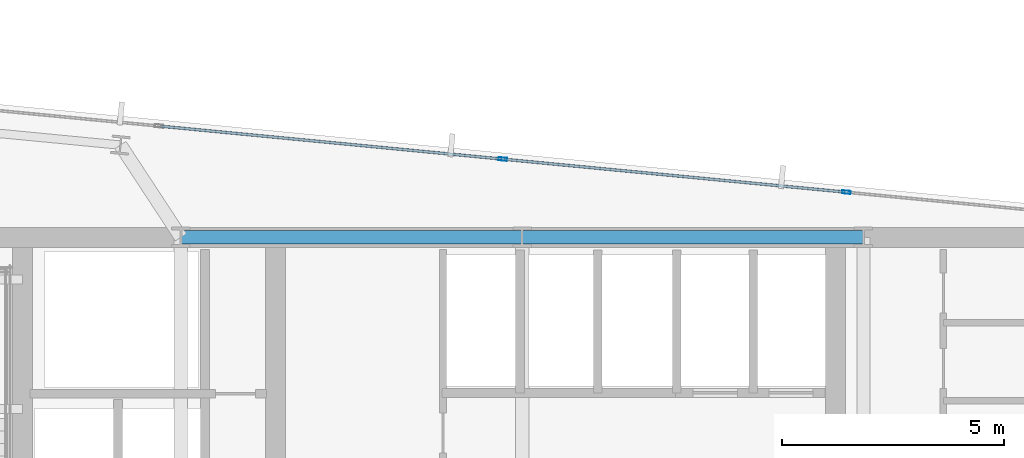
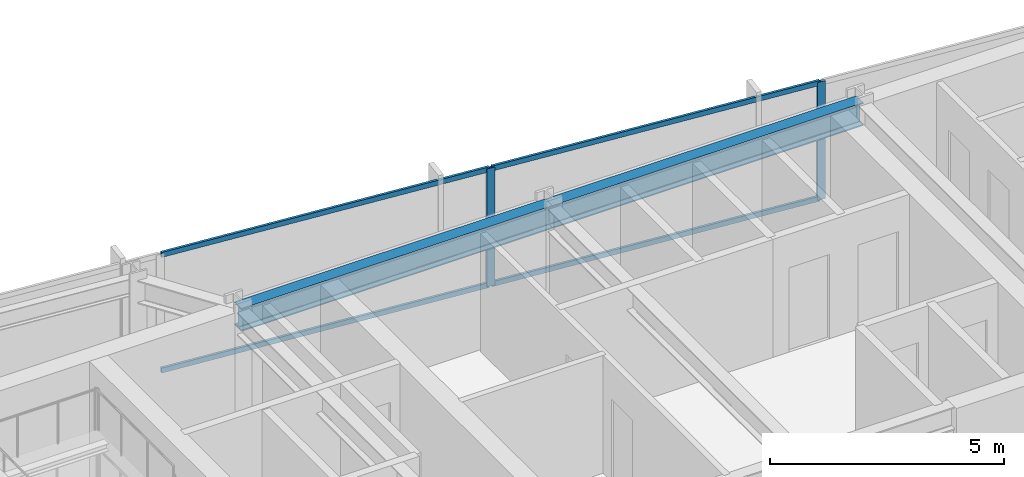
# One storey, part 26 of 37: 6 members, 2 beams, 1 element without a shape of its own.
"""IFC4 building model written with IfcOpenShell, lengths in metres."""

from ifc_helpers import new_model, si_unit, direction, frame, origin, origin_2d, place, context, subcontext, project, spatial, hollow_rectangle, i_section, extrude, material, material_profile, profile_set, type_object, element, aggregate, save


model = new_model("IFC4")

# Units and contexts
model_context = context("Model", 3, precision=1e-05, world=origin(), true_north=direction((0.0, 1.0)))
body_context = subcontext(model_context, "Body", "Model", "MODEL_VIEW")
ifc_project = project(units=[si_unit("LENGTHUNIT", "METRE"), si_unit("AREAUNIT", "SQUARE_METRE"), si_unit("VOLUMEUNIT", "CUBIC_METRE"), si_unit("PLANEANGLEUNIT", "RADIAN"), si_unit("MASSUNIT", "GRAM", prefix="KILO")], contexts=[model_context])

# Site, building, storey
site_placement = place(None, origin())
site = spatial("IfcSite", under=ifc_project, at=site_placement, CompositionType="ELEMENT")
building_placement = place(site_placement, origin())
building = spatial("IfcBuilding", under=site, at=building_placement, Name="Yelkora Congress Tower", CompositionType="ELEMENT")
storey_placement = place(building_placement, frame((0.0, 0.0, 162.199951171875)))
storey = spatial("IfcBuildingStorey", under=building, at=storey_placement, Name="L44", CompositionType="ELEMENT", Elevation=162.199951171875)

# Beams
ifc_material_1 = material(Name="Steel S355J2", Category="steel")
ifc_material_profile_1 = material_profile(ifc_material_1, i_section(OverallWidth=0.300048828125, OverallDepth=0.60009765625, WebThickness=0.015380859375, FlangeThickness=0.030029296875, FilletRadius=0.027099609375, at=origin_2d()), Name="HEB 600")
ifc_profile_set_1 = profile_set([ifc_material_profile_1], Name="Steel S355J2")
beam_type = type_object("IfcBeamType", Name="BM-GIRD-HEB600", PredefinedType="BEAM", material=ifc_profile_set_1)
beam_1_placement = place(storey_placement, frame((30.719970703125, 46.199951171875, 2.780029296875), z_axis=(1.0, 0.0, 0.0), x_axis=(0.0, 1.0, 0.0)))
element("IfcBeam", 1, at=beam_1_placement, inside=storey, type_object=beam_type, Name="L44 Core North Girder 3", PredefinedType="BEAM", context=body_context, shape_type="SweptSolid", body=[
    extrude(i_section(OverallWidth=0.300048828125, OverallDepth=0.60009765625, WebThickness=0.015380859375, FlangeThickness=0.030029296875, FilletRadius=0.027099609375, at=origin_2d()), origin(), (0.0, 0.0, 1.0), 7.679931640625),
])
beam_2_placement = place(storey_placement, frame((38.39990234375, 46.199951171875, 2.780029296875), z_axis=(1.0, 0.0, 0.0), x_axis=(0.0, 1.0, 0.0)))
element("IfcBeam", 2, at=beam_2_placement, inside=storey, type_object=beam_type, Name="L44 Core North Girder 4", PredefinedType="BEAM", context=body_context, shape_type="SweptSolid", body=[
    extrude(i_section(OverallWidth=0.300048828125, OverallDepth=0.60009765625, WebThickness=0.015380859375, FlangeThickness=0.030029296875, FilletRadius=0.027099609375, at=origin_2d()), origin(), (0.0, 0.0, 1.0), 7.68017578125),
])

# Curtain wall, members
ifc_material_2 = material(Name="Anodised aluminium and insulated glass", Category="aluminium")
curtain_wall_type = type_object("IfcCurtainWallType", Name="CW-SYS-B3", PredefinedType="NOTDEFINED", material=ifc_material_2)
curtain_wall_placement = place(storey_placement, origin())
curtain_wall = element("IfcCurtainWall", 3, at=curtain_wall_placement, inside=storey, type_object=curtain_wall_type, Name="L44 Unitised Curtain Wall 10 (1)", PredefinedType="NOTDEFINED")
ifc_material_3 = material(Name="Anodised aluminium 6063-T6", Category="aluminium")
ifc_material_profile_2 = material_profile(ifc_material_3, hollow_rectangle(XDim=0.070068359375, YDim=0.18994140625, WallThickness=0.00390625, at=origin_2d()), Name="ALU 70x190x4")
ifc_profile_set_2 = profile_set([ifc_material_profile_2], Name="Anodised aluminium 6063-T6")
member_type_1 = type_object("IfcMemberType", Name="MEM-ML-B3", PredefinedType="MULLION", material=ifc_profile_set_2)
member_1_placement = place(storey_placement, frame((37.9638671875, 47.958984375, 0.0), z_axis=(0.0, 0.0, 1.0), x_axis=(0.095844761168, 0.995396293823, 0.0)))
member_1 = element("IfcMember", 4, at=member_1_placement, type_object=member_type_1, Name="CW-B3 mullion 5", PredefinedType="MULLION", context=body_context, shape_type="SweptSolid", body=[
    extrude(hollow_rectangle(XDim=0.070068359375, YDim=0.18994140625, WallThickness=0.00390625, at=origin_2d()), origin(), (0.0, 0.0, 1.0), 3.080078125),
])
member_2_placement = place(storey_placement, frame((45.697509765625, 47.21435546875, 0.0), z_axis=(0.0, 0.0, 1.0), x_axis=(0.095844761168, 0.995396293823, 0.0)))
member_2 = element("IfcMember", 5, at=member_2_placement, type_object=member_type_1, Name="CW-B3 mullion 6", PredefinedType="MULLION", context=body_context, shape_type="SweptSolid", body=[
    extrude(hollow_rectangle(XDim=0.070068359375, YDim=0.18994140625, WallThickness=0.00390625, at=origin_2d()), origin(), (0.0, 0.0, 1.0), 3.080078125),
])
ifc_material_profile_3 = material_profile(ifc_material_3, hollow_rectangle(XDim=0.06005859375, YDim=0.1298828125, WallThickness=0.00390625, at=origin_2d()), Name="ALU 60x130x4")
ifc_profile_set_3 = profile_set([ifc_material_profile_3], Name="Anodised aluminium 6063-T6")
member_type_2 = type_object("IfcMemberType", Name="MEM-TR-B3", PredefinedType="USERDEFINED", material=ifc_profile_set_3)
member_3_placement = place(storey_placement, frame((30.26513671875, 48.7001953125, 0.030029296875), z_axis=(0.995398042106, -0.095826602633, 0.0), x_axis=(0.095826602633, 0.995398042106, 0.0)))
member_3 = element("IfcMember", 6, at=member_3_placement, type_object=member_type_2, Name="CW-B3 transom 4.1", ObjectType="TRANSOM", PredefinedType="USERDEFINED", context=body_context, shape_type="SweptSolid", body=[
    extrude(hollow_rectangle(XDim=0.06005859375, YDim=0.1298828125, WallThickness=0.00390625, at=origin_2d()), origin(), (0.0, 0.0, 1.0), 7.69921875),
])
member_4_placement = place(storey_placement, frame((30.26513671875, 48.7001953125, 3.050048828125), z_axis=(0.995398042106, -0.095826602633, 0.0), x_axis=(0.095826602633, 0.995398042106, 0.0)))
member_4 = element("IfcMember", 7, at=member_4_placement, type_object=member_type_2, Name="CW-B3 transom 4.2", ObjectType="TRANSOM", PredefinedType="USERDEFINED", context=body_context, shape_type="SweptSolid", body=[
    extrude(hollow_rectangle(XDim=0.06005859375, YDim=0.1298828125, WallThickness=0.00390625, at=origin_2d()), origin(), (0.0, 0.0, 1.0), 7.69921875),
])
member_5_placement = place(storey_placement, frame((37.998779296875, 47.95556640625, 0.030029296875), z_axis=(0.995398042106, -0.095826602633, 0.0), x_axis=(0.095826602633, 0.995398042106, 0.0)))
member_5 = element("IfcMember", 8, at=member_5_placement, type_object=member_type_2, Name="CW-B3 transom 5.1", ObjectType="TRANSOM", PredefinedType="USERDEFINED", context=body_context, shape_type="SweptSolid", body=[
    extrude(hollow_rectangle(XDim=0.06005859375, YDim=0.1298828125, WallThickness=0.00390625, at=origin_2d()), origin(), (0.0, 0.0, 1.0), 7.69921875),
])
member_6_placement = place(storey_placement, frame((37.998779296875, 47.95556640625, 3.050048828125), z_axis=(0.995398042106, -0.095826602633, 0.0), x_axis=(0.095826602633, 0.995398042106, 0.0)))
member_6 = element("IfcMember", 9, at=member_6_placement, type_object=member_type_2, Name="CW-B3 transom 5.2", ObjectType="TRANSOM", PredefinedType="USERDEFINED", context=body_context, shape_type="SweptSolid", body=[
    extrude(hollow_rectangle(XDim=0.06005859375, YDim=0.1298828125, WallThickness=0.00390625, at=origin_2d()), origin(), (0.0, 0.0, 1.0), 7.69921875),
])
aggregate(curtain_wall, [member_1, member_2, member_3, member_4, member_5, member_6])

save(model, "model.ifc")
